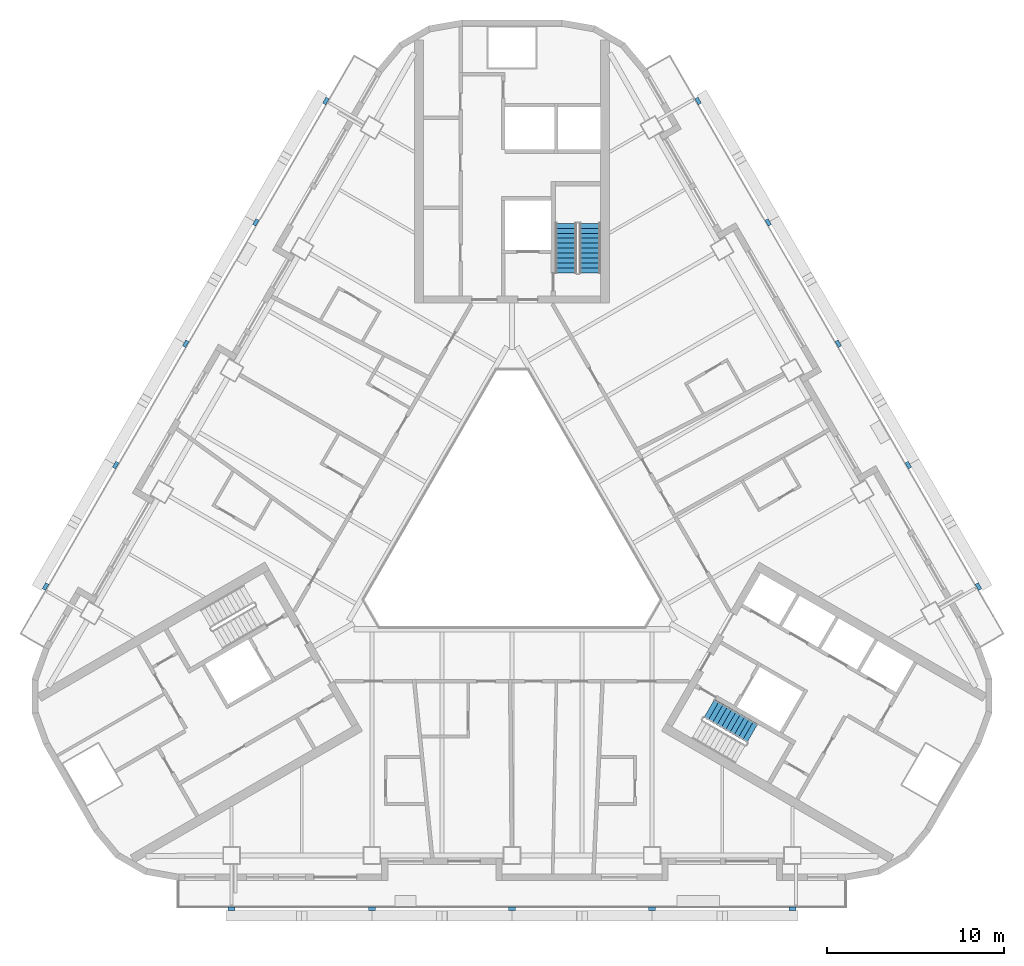
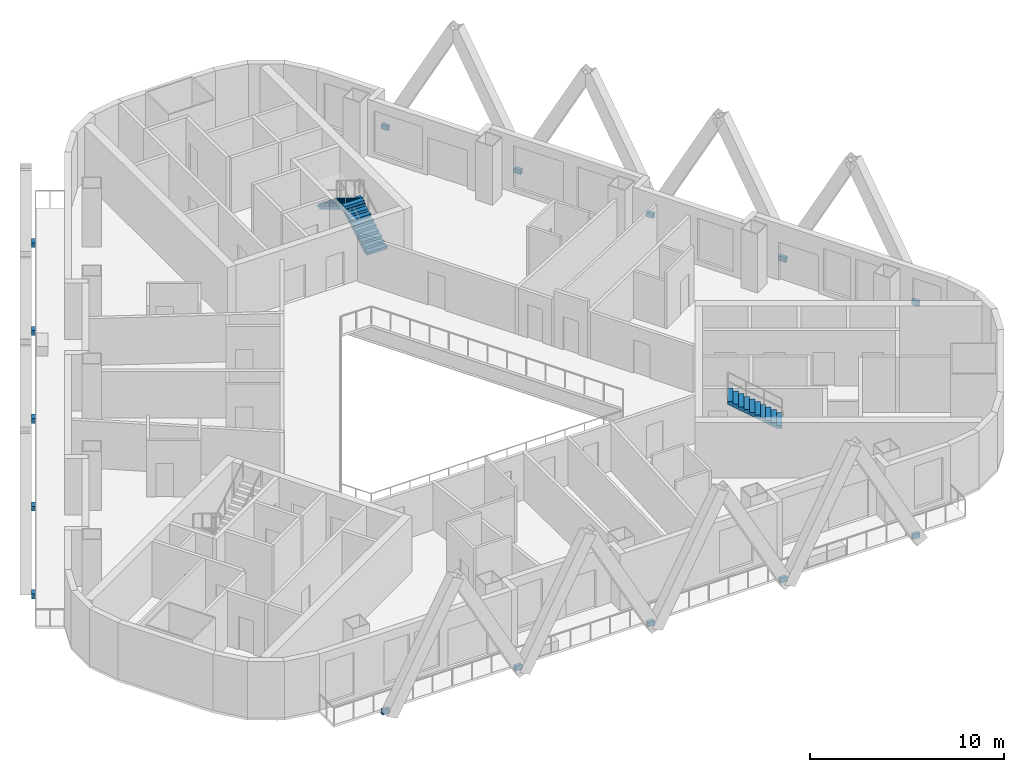
# One storey, part 8 of 14: 15 discrete accessories, 3 stair flights, 2 elements without a shape of their own.
"""IFC4 building model written with IfcOpenShell, lengths in metres."""

import ifcopenshell
import ifcopenshell.guid

model = None  # the IFC model being written
_history = None  # IfcOwnerHistory: only IFC2X3 demands one
_inside = {}  # id of a spatial element -> (the spatial element, [elements in it])
_under = {}  # id of a project, library or spatial element -> (it, [spatial elements below it])
_declared = {}  # id of a project -> (the project, [libraries it declares])
_typed = {}  # id of a type object -> (the type object, [elements of that type])
_made_of = {}  # id of a material, layer set ... -> (it, [elements and type objects made of it])


def new_model(schema):
    """Start an empty IFC model of exactly this schema.

    Asked for "IFC4X3", IfcOpenShell would pick the latest addendum, in which some entities
    have other attributes; the version numbers below select the first issue.
    IFC2X3 requires an IfcOwnerHistory on every rooted entity: one is made here for all.
    """
    global model, _history
    if schema == "IFC4X3":
        model = ifcopenshell.file(schema_version=(4, 3, 0, 0))
    else:
        model = ifcopenshell.file(schema=schema)
    _inside.clear()
    _under.clear()
    _declared.clear()
    _typed.clear()
    _made_of.clear()
    _history = None
    if model.schema == "IFC2X3":
        org = make("IfcOrganization", Name="unknown")
        user = make(
            "IfcPersonAndOrganization",
            ThePerson=make("IfcPerson", FamilyName="unknown"),
            TheOrganization=org,
        )
        app = make(
            "IfcApplication",
            ApplicationDeveloper=org,
            Version="unknown",
            ApplicationFullName="unknown",
            ApplicationIdentifier="unknown",
        )
        _history = make(
            "IfcOwnerHistory",
            OwningUser=user,
            OwningApplication=app,
            ChangeAction="ADDED",
            CreationDate=0,
        )
    return model


def make(cls, **values):
    """One entity of the class cls with the attributes given. An attribute that is None is left unset."""
    return model.create_entity(
        cls, **{name: value for name, value in values.items() if value is not None}
    )


def rooted(cls, **values):
    """An entity with a GlobalId (a new one), such as an element, a storey or a relation."""
    return make(cls, GlobalId=ifcopenshell.guid.new(), OwnerHistory=_history, **values)


def si_unit(unit_type, name, prefix=None):
    """IfcSIUnit, for example si_unit("LENGTHUNIT", "METRE", prefix="MILLI")."""
    return make("IfcSIUnit", UnitType=unit_type, Prefix=prefix, Name=name)


def assignment(units):
    """IfcUnitAssignment: the units of a project."""
    return None if units is None else make("IfcUnitAssignment", Units=units)


def point(xyz):
    """IfcCartesianPoint."""
    return None if xyz is None else make("IfcCartesianPoint", Coordinates=xyz)


def direction(xyz):
    """IfcDirection."""
    return None if xyz is None else make("IfcDirection", DirectionRatios=xyz)


def frame(location, z_axis=None, x_axis=None):
    """IfcAxis2Placement3D, a coordinate frame: its origin and axes. An axis left out is left unset."""
    return make(
        "IfcAxis2Placement3D",
        Location=point(location),
        Axis=direction(z_axis),
        RefDirection=direction(x_axis),
    )


def frame_2d(location, x_axis=None):
    """IfcAxis2Placement2D, a coordinate frame in the plane: its origin and x axis."""
    return make(
        "IfcAxis2Placement2D", Location=point(location), RefDirection=direction(x_axis)
    )


def origin():
    """The frame at (0, 0, 0) with its axes left unset."""
    return frame((0.0, 0.0, 0.0))


def origin_2d():
    """The frame at (0, 0) in the plane with its x axis left unset."""
    return frame_2d((0.0, 0.0))


def place(relative_to, where):
    """IfcLocalPlacement: puts the frame where relative to a parent placement (None: the world)."""
    return make(
        "IfcLocalPlacement", PlacementRelTo=relative_to, RelativePlacement=where
    )


def context(
    kind, dimensions, precision=None, world=None, true_north=None, identifier=None
):
    """IfcGeometricRepresentationContext, for example the 3D "Model" context."""
    return make(
        "IfcGeometricRepresentationContext",
        ContextIdentifier=identifier,
        ContextType=kind,
        CoordinateSpaceDimension=dimensions,
        Precision=precision,
        WorldCoordinateSystem=world,
        TrueNorth=true_north,
    )


def subcontext(parent, identifier, kind, view, scale=None):
    """IfcGeometricRepresentationSubContext, for example "Body" below "Model"."""
    return make(
        "IfcGeometricRepresentationSubContext",
        ContextIdentifier=identifier,
        ContextType=kind,
        ParentContext=parent,
        TargetScale=scale,
        TargetView=view,
    )


def project(units=None, contexts=None):
    """IfcProject with its units and contexts."""
    return rooted(
        "IfcProject",
        Name="project",
        RepresentationContexts=contexts,
        UnitsInContext=assignment(units),
    )


def spatial(cls, under=None, at=None, **own):
    """A site, building, storey or space (cls), placed at a placement, below another one or the project."""
    s = rooted(cls, ObjectPlacement=at, **own)
    if under is not None:
        _under.setdefault(under.id(), (under, []))[1].append(s)
    return s


def polyline(points):
    """IfcPolyline through the points."""
    return make("IfcPolyline", Points=[point(p) for p in points])


def profile(cls, at=None, kind="AREA", **sizes):
    """A parametric profile (cls). Its sizes go by their IFC names, for example OverallWidth=200.0."""
    return make(cls, ProfileType=kind, Position=at, **sizes)


def rectangle(**sizes):
    """IfcRectangleProfileDef."""
    return profile("IfcRectangleProfileDef", **sizes)


def outline(outer, holes=None, kind="AREA"):
    """IfcArbitraryClosedProfileDef: a profile drawn as a closed curve; with holes, ...WithVoids."""
    if holes is None:
        return make("IfcArbitraryClosedProfileDef", ProfileType=kind, OuterCurve=outer)
    return make(
        "IfcArbitraryProfileDefWithVoids",
        ProfileType=kind,
        OuterCurve=outer,
        InnerCurves=holes,
    )


def extrude(swept, where, along, depth):
    """IfcExtrudedAreaSolid: the profile swept, set in the frame where, extruded along a direction by depth."""
    return make(
        "IfcExtrudedAreaSolid",
        SweptArea=swept,
        Position=where,
        ExtrudedDirection=direction(along),
        Depth=depth,
    )


def shape(context_of_items, identifier, shape_type, items):
    """IfcShapeRepresentation: the items that make up one representation, for example the "Body"."""
    return make(
        "IfcShapeRepresentation",
        ContextOfItems=context_of_items,
        RepresentationIdentifier=identifier,
        RepresentationType=shape_type,
        Items=items,
    )


def material(Name=None, Category=None):
    """IfcMaterial."""
    return make("IfcMaterial", Name=Name, Category=Category)


def made_of(thing, what):
    """Note that an element or type object is made of a material, layer set ...; save() writes the relation."""
    if what is not None:
        _made_of.setdefault(what.id(), (what, []))[1].append(thing)
    return thing


def type_object(cls, material=None, **own):
    """A type object (cls), such as IfcWallType, which elements share."""
    return made_of(rooted(cls, **own), material)


def element(
    cls,
    number,
    at=None,
    inside=None,
    cuts=None,
    type_object=None,
    material=None,
    context=None,
    identifier="Body",
    shape_type=None,
    held_by="IfcProductDefinitionShape",
    body=None,
    shapes=None,
    **own,
):
    """One element of the class cls, such as IfcWall. Its Tag is "e" and its number.

    at: its placement. inside: the storey or other place that contains it. cuts: it is an
    opening in that element (IfcRelVoidsElement). A single representation is given by context,
    identifier, shape_type and body (its items); several are given by shapes. held_by: the class
    of the entity that holds the representations. save() writes the other relations.
    """
    e = rooted(cls, Tag="e%d" % number, ObjectPlacement=at, **own)
    if body is not None:
        shapes = [shape(context, identifier, shape_type, body)]
    if shapes is not None:
        e.Representation = make(held_by, Representations=shapes)
    if inside is not None:
        _inside.setdefault(inside.id(), (inside, []))[1].append(e)
    if cuts is not None:
        rooted(
            "IfcRelVoidsElement", RelatingBuildingElement=cuts, RelatedOpeningElement=e
        )
    if type_object is not None:
        _typed.setdefault(type_object.id(), (type_object, []))[1].append(e)
    return made_of(e, material)


def aggregate(whole, parts):
    """IfcRelAggregates: a whole, such as a stair, and the parts it consists of."""
    return rooted("IfcRelAggregates", RelatingObject=whole, RelatedObjects=parts)


def save(model, path):
    """Write the relations noted so far, then the file.

    IfcRelAggregates (storeys below a building ...), IfcRelContainedInSpatialStructure (elements
    in a storey), IfcRelDefinesByType, IfcRelAssociatesMaterial and IfcRelDeclares: one each for
    every whole, place, type object, material and project.
    """
    for whole, parts in _under.values():
        aggregate(whole, parts)
    for where, things in _inside.values():
        rooted(
            "IfcRelContainedInSpatialStructure",
            RelatedElements=things,
            RelatingStructure=where,
        )
    for kind, things in _typed.values():
        rooted("IfcRelDefinesByType", RelatedObjects=things, RelatingType=kind)
    for what, things in _made_of.values():
        rooted("IfcRelAssociatesMaterial", RelatedObjects=things, RelatingMaterial=what)
    for by, libraries in _declared.values():
        rooted("IfcRelDeclares", RelatingContext=by, RelatedDefinitions=libraries)
    model.write(path)


model = new_model("IFC4")

# Units and contexts
model_context = context("Model", 3, precision=1e-05, world=origin(), true_north=direction((0.0, 1.0)))
body_context = subcontext(model_context, "Body", "Model", "MODEL_VIEW")
ifc_project = project(units=[si_unit("LENGTHUNIT", "METRE"), si_unit("AREAUNIT", "SQUARE_METRE"), si_unit("VOLUMEUNIT", "CUBIC_METRE"), si_unit("PLANEANGLEUNIT", "RADIAN"), si_unit("MASSUNIT", "GRAM", prefix="KILO")], contexts=[model_context])

# Site, building, storey
site_placement = place(None, origin())
site = spatial("IfcSite", under=ifc_project, at=site_placement, CompositionType="ELEMENT")
building_placement = place(site_placement, origin())
building = spatial("IfcBuilding", under=site, at=building_placement, Name="Apuvela Tower Hotel", CompositionType="ELEMENT")
storey_placement = place(building_placement, frame((0.0, 0.0, 76.10009765625)))
storey = spatial("IfcBuildingStorey", under=building, at=storey_placement, Name="L16", CompositionType="ELEMENT", Elevation=76.10009765625)

# Stair, stair flights
ifc_material_1 = material(Name="Concrete C50/60", Category="concrete")
stair_type = type_object("IfcStairType", Name="COR-STAIR-22R", PredefinedType="HALF_TURN_STAIR", material=ifc_material_1)
stair_1_placement = place(storey_placement, origin())
stair_1 = element("IfcStair", 1, at=stair_1_placement, inside=storey, type_object=stair_type, Name="L16 Exit stair ST1", PredefinedType="HALF_TURN_STAIR")
stair_flight_type = type_object("IfcStairFlightType", Name="COR-FLIGHT-11R", PredefinedType="STRAIGHT", material=ifc_material_1)
stair_flight_1_placement = place(storey_placement, frame((4.39990234375, 14.60009765625, 0.0), z_axis=(0.0, 0.0, 1.0), x_axis=(0.0, 1.0, 0.0)))
stair_flight_1 = element("IfcStairFlight", 2, at=stair_flight_1_placement, type_object=stair_flight_type, Name="ST1 flight 1", NumberOfRisers=11, NumberOfTreads=10, PredefinedType="STRAIGHT", RiserHeight=0.168181818, TreadLength=0.28, context=body_context, shape_type="SweptSolid", body=[
    extrude(outline(polyline([(0.0, 0.0), (0.0, 0.168212890625), (0.280029296875, 0.168212890625), (0.280029296875, 0.33642578125), (0.56005859375, 0.33642578125), (0.56005859375, 0.504638671875), (0.840087890625, 0.504638671875), (0.840087890625, 0.672607421875), (1.1201171875, 0.672607421875), (1.1201171875, 0.8408203125), (1.39990234375, 0.8408203125), (1.39990234375, 1.009033203125), (1.679931640625, 1.009033203125), (1.679931640625, 1.17724609375), (1.9599609375, 1.17724609375), (1.9599609375, 1.345458984375), (2.239990234375, 1.345458984375), (2.239990234375, 1.513671875), (2.52001953125, 1.513671875), (2.52001953125, 1.681884765625), (2.800048828125, 1.681884765625), (2.800048828125, 1.85009765625), (2.800048828125, 1.5068359375), (0.291015625, 0.0), (0.0, 0.0)])), frame((0.0, 0.60009765625, 0.0), z_axis=(0.0, -1.0, 0.0), x_axis=(1.0, 0.0, 0.0)), (0.0, 0.0, 1.0), 1.199951171875),
])
stair_flight_2_placement = place(storey_placement, frame((3.050048828125, 17.39990234375, 1.849853515625), z_axis=(0.0, 0.0, 1.0), x_axis=(0.0, -1.0, 0.0)))
stair_flight_2 = element("IfcStairFlight", 3, at=stair_flight_2_placement, type_object=stair_flight_type, Name="ST1 flight 2", NumberOfRisers=11, NumberOfTreads=10, PredefinedType="STRAIGHT", RiserHeight=0.168181818, TreadLength=0.28, context=body_context, shape_type="SweptSolid", body=[
    extrude(outline(polyline([(0.0, 0.0), (0.0, 0.168212890625), (0.280029296875, 0.168212890625), (0.280029296875, 0.33642578125), (0.56005859375, 0.33642578125), (0.56005859375, 0.504638671875), (0.840087890625, 0.504638671875), (0.840087890625, 0.672607421875), (1.1201171875, 0.672607421875), (1.1201171875, 0.8408203125), (1.39990234375, 0.8408203125), (1.39990234375, 1.009033203125), (1.679931640625, 1.009033203125), (1.679931640625, 1.17724609375), (1.9599609375, 1.17724609375), (1.9599609375, 1.345458984375), (2.239990234375, 1.345458984375), (2.239990234375, 1.513671875), (2.52001953125, 1.513671875), (2.52001953125, 1.681884765625), (2.800048828125, 1.681884765625), (2.800048828125, 1.85009765625), (2.800048828125, 1.5068359375), (0.291015625, 0.0), (0.0, 0.0)])), frame((0.0, 0.60009765625, 0.0), z_axis=(0.0, -1.0, 0.0), x_axis=(1.0, 0.0, 0.0)), (0.0, 0.0, 1.0), 1.199951171875),
])
aggregate(stair_1, [stair_flight_1, stair_flight_2])

# Stair, stair flight
stair_2_placement = place(storey_placement, origin())
stair_2 = element("IfcStair", 4, at=stair_2_placement, inside=storey, type_object=stair_type, Name="L16 Exit stair ST3", PredefinedType="HALF_TURN_STAIR")
stair_flight_3_placement = place(storey_placement, frame((13.5439453125, -11.34130859375, 1.849853515625), z_axis=(0.0, 0.0, 1.0), x_axis=(-0.866025403784, 0.5, 0.0)))
stair_flight_3 = element("IfcStairFlight", 5, at=stair_flight_3_placement, type_object=stair_flight_type, Name="ST3 flight 2", NumberOfRisers=11, NumberOfTreads=10, PredefinedType="STRAIGHT", RiserHeight=0.168181818, TreadLength=0.28, context=body_context, shape_type="SweptSolid", body=[
    extrude(outline(polyline([(0.0, 0.0), (0.0, 0.168212890625), (0.280029296875, 0.168212890625), (0.280029296875, 0.33642578125), (0.56005859375, 0.33642578125), (0.56005859375, 0.504638671875), (0.840087890625, 0.504638671875), (0.840087890625, 0.672607421875), (1.1201171875, 0.672607421875), (1.1201171875, 0.8408203125), (1.39990234375, 0.8408203125), (1.39990234375, 1.009033203125), (1.679931640625, 1.009033203125), (1.679931640625, 1.17724609375), (1.9599609375, 1.17724609375), (1.9599609375, 1.345458984375), (2.239990234375, 1.345458984375), (2.239990234375, 1.513671875), (2.52001953125, 1.513671875), (2.52001953125, 1.681884765625), (2.800048828125, 1.681884765625), (2.800048828125, 1.85009765625), (2.800048828125, 1.5068359375), (0.291015625, 0.0), (0.0, 0.0)])), frame((0.0, 0.60009765625, 0.0), z_axis=(0.0, -1.0, 0.0), x_axis=(1.0, 0.0, 0.0)), (0.0, 0.0, 1.0), 1.199951171875),
])
aggregate(stair_2, [stair_flight_3])

# Discrete accessories
ifc_material_2 = material(Name="Steel S355, black paint system", Category="steel")
discrete_accessory_type = type_object("IfcDiscreteAccessoryType", Name="ENV-FIN-BRACKET", PredefinedType="BRACKET", material=ifc_material_2)
for number, where, z_axis, x_axis, name in (
    (6, (26.28564453125, -3.068115234375, -0.25), (0.0, 0.0, 1.0), (-0.5, 0.866025403784, 0.0), "Fin bracket NE19"),
    (7, (22.335693359375, 3.7734375, -0.25), (0.0, 0.0, 1.0), (-0.5, 0.866025403784, 0.0), "Fin bracket NE20"),
    (8, (18.3857421875, 10.614990234375, -0.25), (0.0, 0.0, 1.0), (-0.5, 0.866025403784, 0.0), "Fin bracket NE21"),
    (9, (14.435791015625, 17.45654296875, -0.25), (0.0, 0.0, 1.0), (-0.5, 0.866025403784, 0.0), "Fin bracket NE22"),
    (10, (10.485595703125, 24.298095703125, -0.25), (0.0, 0.0, 1.0), (-0.5, 0.866025403784, 0.0), "Fin bracket NE23"),
    (11, (-10.485595703125, 24.298095703125, -0.25), (0.0, 0.0, 1.0), (-0.5, -0.866025403784, 0.0), "Fin bracket NW168"),
    (12, (-14.435791015625, 17.45654296875, -0.25), (0.0, 0.0, 1.0), (-0.5, -0.866025403784, 0.0), "Fin bracket NW169"),
    (13, (-18.3857421875, 10.614990234375, -0.25), (0.0, 0.0, 1.0), (-0.5, -0.866025403784, 0.0), "Fin bracket NW170"),
    (14, (-22.335693359375, 3.7734375, -0.25), (0.0, 0.0, 1.0), (-0.5, -0.866025403784, 0.0), "Fin bracket NW171"),
    (15, (-26.28564453125, -3.068115234375, -0.25), (0.0, 0.0, 1.0), (-0.5, -0.866025403784, 0.0), "Fin bracket NW172"),
    (16, (-15.800048828125, -21.22998046875, -0.25), (0.0, 0.0, 1.0), (1.0, 0.0, 0.0), "Fin bracket S318"),
    (17, (-7.89990234375, -21.22998046875, -0.25), (0.0, 0.0, 1.0), (1.0, 0.0, 0.0), "Fin bracket S319"),
    (18, (0.0, -21.22998046875, -0.25), (0.0, 0.0, 1.0), (1.0, 0.0, 0.0), "Fin bracket S320"),
    (19, (7.89990234375, -21.22998046875, -0.25), (0.0, 0.0, 1.0), (1.0, 0.0, 0.0), "Fin bracket S321"),
    (20, (15.800048828125, -21.22998046875, -0.25), (0.0, 0.0, 1.0), (1.0, 0.0, 0.0), "Fin bracket S322"),
):
    element("IfcDiscreteAccessory", number, at=place(storey_placement, frame(where, z_axis=z_axis, x_axis=x_axis)), inside=storey, type_object=discrete_accessory_type, Name=name, PredefinedType="BRACKET", context=body_context, shape_type="SweptSolid", body=[
        extrude(rectangle(XDim=0.39990234375, YDim=0.199951171875, at=origin_2d()), origin(), (0.0, 0.0, 1.0), 0.300048828125),
    ])

save(model, "model.ifc")
